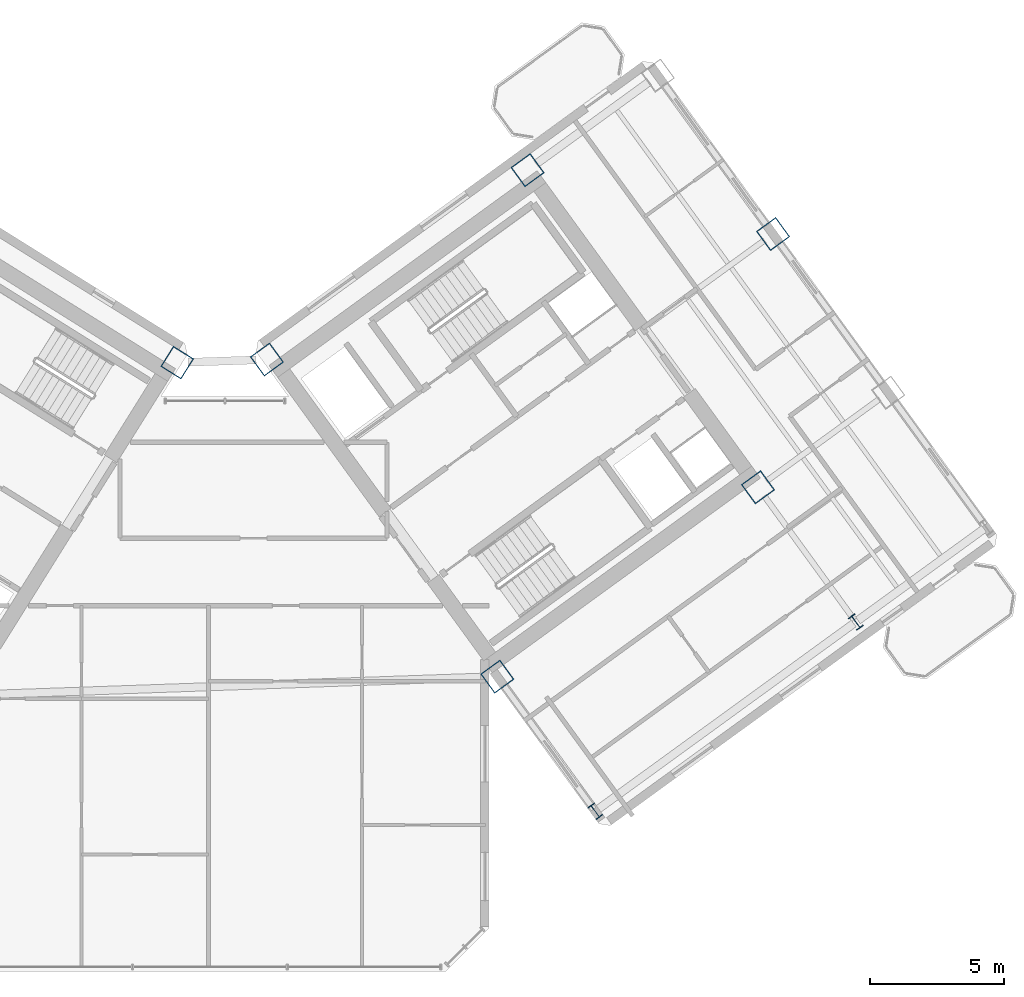
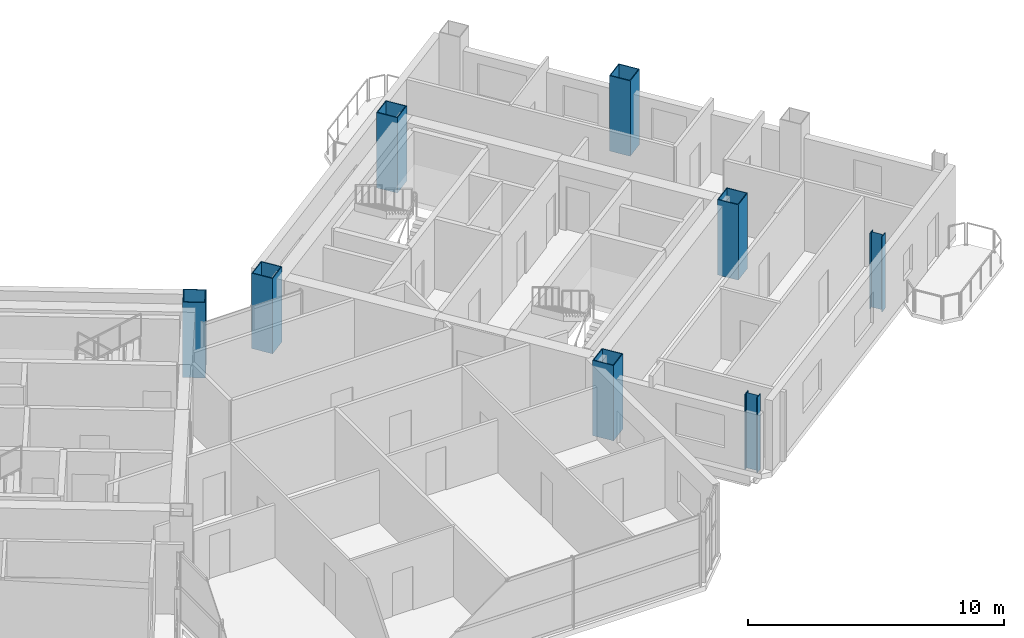
# One storey, part 2 of 25: 8 columns.
"""IFC4 building model written with IfcOpenShell, lengths in metres."""

from ifc_helpers import new_model, si_unit, direction, frame, origin, origin_2d, place, context, subcontext, project, spatial, hollow_rectangle, i_section, extrude, source, transform, mapped, material, material_profile, profile_set, type_object, element, save


model = new_model("IFC4")

# Units and contexts
model_context = context("Model", 3, precision=1e-05, world=origin(), true_north=direction((0.0, 1.0)))
body_context = subcontext(model_context, "Body", "Model", "MODEL_VIEW")
ifc_project = project(units=[si_unit("LENGTHUNIT", "METRE"), si_unit("AREAUNIT", "SQUARE_METRE"), si_unit("VOLUMEUNIT", "CUBIC_METRE"), si_unit("PLANEANGLEUNIT", "RADIAN"), si_unit("MASSUNIT", "GRAM", prefix="KILO")], contexts=[model_context])

# Site, building, storey
site_placement = place(None, origin())
site = spatial("IfcSite", under=ifc_project, at=site_placement, CompositionType="ELEMENT")
building_placement = place(site_placement, origin())
building = spatial("IfcBuilding", under=site, at=building_placement, Name="Tlacorven Tower", CompositionType="ELEMENT")
storey_placement = place(building_placement, frame((0.0, 0.0, 162.300048828125)))
storey = spatial("IfcBuildingStorey", under=building, at=storey_placement, Name="L41", CompositionType="ELEMENT", Elevation=162.300048828125)

# Columns
ifc_material = material(Name="Steel S460M", Category="steel")
ifc_material_profile_1 = material_profile(ifc_material, hollow_rectangle(XDim=0.89990234375, YDim=0.89990234375, WallThickness=0.035888671875, at=origin_2d()), Name="BOX 900X900X36")
ifc_profile_set_1 = profile_set([ifc_material_profile_1], Name="Steel S460M")
column_type_1 = type_object("IfcColumnType", Name="COL-TWR-S2", PredefinedType="COLUMN", material=ifc_profile_set_1)
shared_shape_1 = source(origin(), body_context, "Body", "SweptSolid", [
    extrude(hollow_rectangle(XDim=0.89990234375, YDim=0.89990234375, WallThickness=0.035888671875, at=origin_2d()), origin(), (0.0, 0.0, 1.0), 3.599853515625),
])
for number, where, z_axis, x_axis, name in (
    (1, (40.782958984375, 24.468505859375, 0.0), (0.0, 0.0, 1.0), (-0.848048096156, 0.529919264233, 0.0), "L41 column COL-L41-W1-1"),
    (2, (52.705322265625, 12.7734375, 0.0), (0.0, 0.0, 1.0), (0.809016994375, 0.587785252292, 0.0), "L41 column COL-L41-E1-2"),
    (3, (44.123779296875, 24.5849609375, 0.0), (0.0, 0.0, 1.0), (0.809016994375, 0.587785252292, 0.0), "L41 column COL-L41-E1-4"),
    (4, (62.41357421875, 19.826904296875, 0.0), (0.0, 0.0, 1.0), (0.809016994375, 0.587785252292, 0.0), "L41 column COL-L41-E3-2"),
    (5, (53.83203125, 31.638427734375, 0.0), (0.0, 0.0, 1.0), (0.809016994375, 0.587785252292, 0.0), "L41 column COL-L41-E3-4"),
    (6, (62.976806640625, 29.25927734375, 0.0), (0.0, 0.0, 1.0), (0.809016994375, 0.587785252292, 0.0), "L41 column COL-L41-E4-3"),
):
    element("IfcColumn", number, at=place(storey_placement, frame(where, z_axis=z_axis, x_axis=x_axis)), inside=storey, type_object=column_type_1, Name=name, PredefinedType="COLUMN", context=body_context, shape_type="MappedRepresentation", body=[
        mapped(shared_shape_1, transform((0.0, 0.0, 0.0), scale=1.0)),
    ])
ifc_material_profile_2 = material_profile(ifc_material, i_section(OverallWidth=0.300048828125, OverallDepth=0.550048828125, WebThickness=0.014892578125, FlangeThickness=0.029052734375, at=origin_2d()), Name="HEB 550")
ifc_profile_set_2 = profile_set([ifc_material_profile_2], Name="Steel S460M")
column_type_2 = type_object("IfcColumnType", Name="COL-TWR-P2", PredefinedType="COLUMN", material=ifc_profile_set_2)
shared_shape_2 = source(origin(), body_context, "Body", "SweptSolid", [
    extrude(i_section(OverallWidth=0.300048828125, OverallDepth=0.550048828125, WebThickness=0.014892578125, FlangeThickness=0.029052734375, at=origin_2d()), origin(), (0.0, 0.0, 1.0), 3.599853515625),
])
for number, where, z_axis, x_axis, name in (
    (7, (56.349609375, 7.757568359375, 0.0), (0.0, 0.0, 1.0), (0.809016994375, 0.587785252292, 0.0), "L41 column COL-L41-E1-1"),
    (8, (66.057861328125, 14.81103515625, 0.0), (0.0, 0.0, 1.0), (0.809016994375, 0.587785252292, 0.0), "L41 column COL-L41-E3-1"),
):
    element("IfcColumn", number, at=place(storey_placement, frame(where, z_axis=z_axis, x_axis=x_axis)), inside=storey, type_object=column_type_2, Name=name, PredefinedType="COLUMN", context=body_context, shape_type="MappedRepresentation", body=[
        mapped(shared_shape_2, transform((0.0, 0.0, 0.0), scale=1.0)),
    ])

save(model, "model.ifc")
